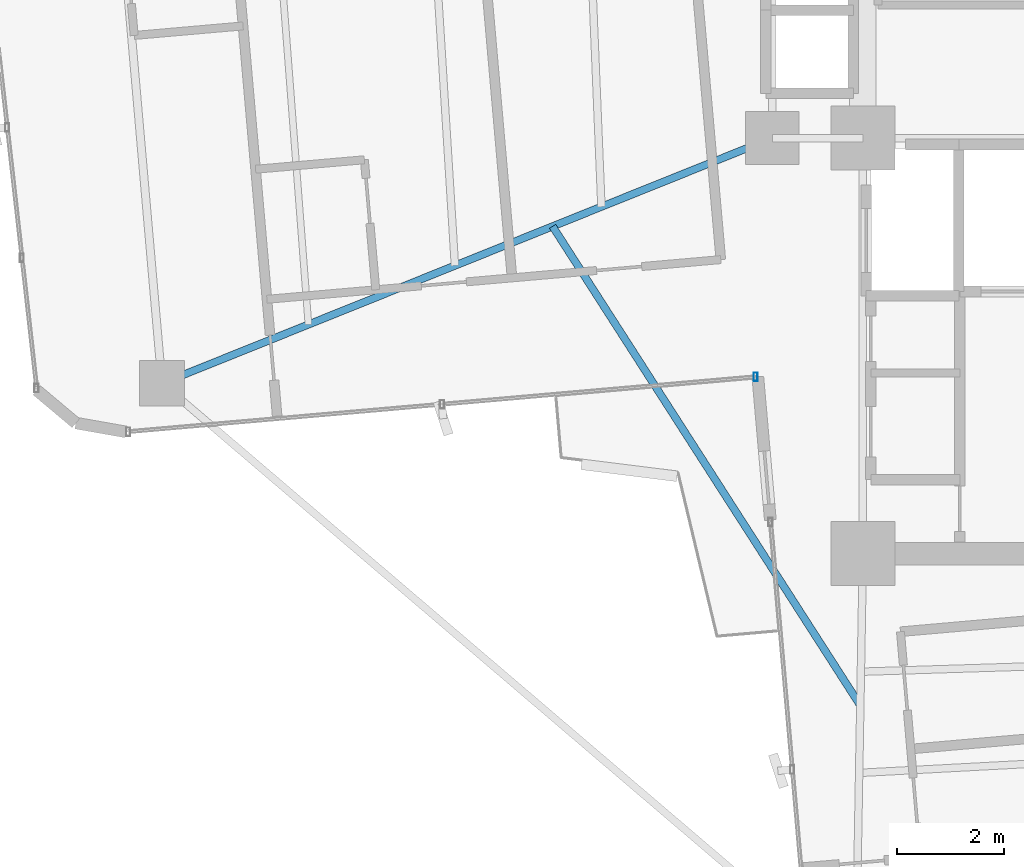
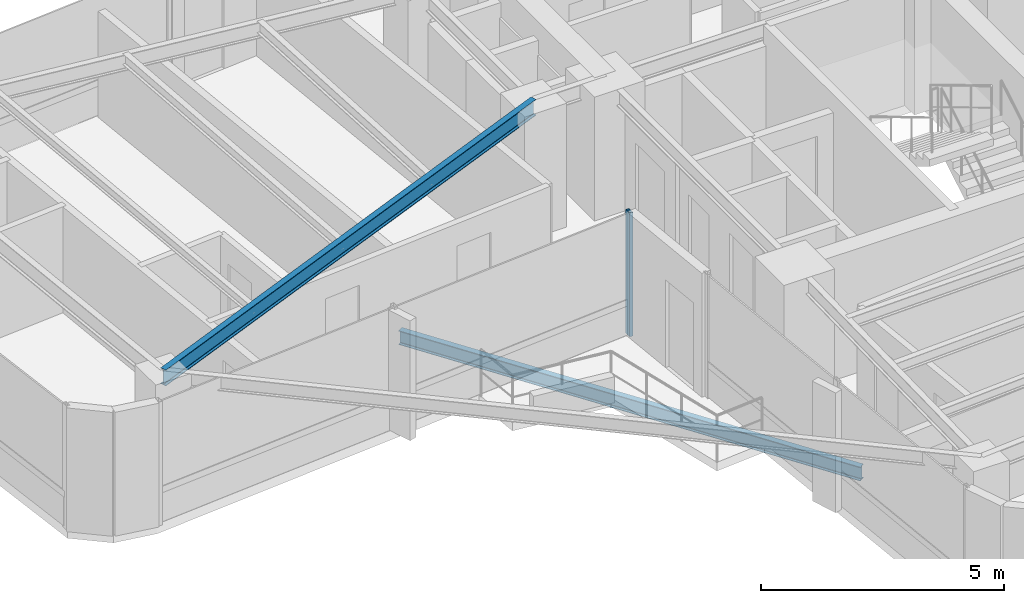
# One storey, part 5 of 24: 2 beams, 1 member, 1 element without a shape of its own.
"""IFC4 building model written with IfcOpenShell, lengths in metres."""

import ifcopenshell
import ifcopenshell.guid

model = None  # the IFC model being written
_history = None  # IfcOwnerHistory: only IFC2X3 demands one
_inside = {}  # id of a spatial element -> (the spatial element, [elements in it])
_under = {}  # id of a project, library or spatial element -> (it, [spatial elements below it])
_declared = {}  # id of a project -> (the project, [libraries it declares])
_typed = {}  # id of a type object -> (the type object, [elements of that type])
_made_of = {}  # id of a material, layer set ... -> (it, [elements and type objects made of it])


def new_model(schema):
    """Start an empty IFC model of exactly this schema.

    Asked for "IFC4X3", IfcOpenShell would pick the latest addendum, in which some entities
    have other attributes; the version numbers below select the first issue.
    IFC2X3 requires an IfcOwnerHistory on every rooted entity: one is made here for all.
    """
    global model, _history
    if schema == "IFC4X3":
        model = ifcopenshell.file(schema_version=(4, 3, 0, 0))
    else:
        model = ifcopenshell.file(schema=schema)
    _inside.clear()
    _under.clear()
    _declared.clear()
    _typed.clear()
    _made_of.clear()
    _history = None
    if model.schema == "IFC2X3":
        org = make("IfcOrganization", Name="unknown")
        user = make(
            "IfcPersonAndOrganization",
            ThePerson=make("IfcPerson", FamilyName="unknown"),
            TheOrganization=org,
        )
        app = make(
            "IfcApplication",
            ApplicationDeveloper=org,
            Version="unknown",
            ApplicationFullName="unknown",
            ApplicationIdentifier="unknown",
        )
        _history = make(
            "IfcOwnerHistory",
            OwningUser=user,
            OwningApplication=app,
            ChangeAction="ADDED",
            CreationDate=0,
        )
    return model


def make(cls, **values):
    """One entity of the class cls with the attributes given. An attribute that is None is left unset."""
    return model.create_entity(
        cls, **{name: value for name, value in values.items() if value is not None}
    )


def rooted(cls, **values):
    """An entity with a GlobalId (a new one), such as an element, a storey or a relation."""
    return make(cls, GlobalId=ifcopenshell.guid.new(), OwnerHistory=_history, **values)


def si_unit(unit_type, name, prefix=None):
    """IfcSIUnit, for example si_unit("LENGTHUNIT", "METRE", prefix="MILLI")."""
    return make("IfcSIUnit", UnitType=unit_type, Prefix=prefix, Name=name)


def assignment(units):
    """IfcUnitAssignment: the units of a project."""
    return None if units is None else make("IfcUnitAssignment", Units=units)


def point(xyz):
    """IfcCartesianPoint."""
    return None if xyz is None else make("IfcCartesianPoint", Coordinates=xyz)


def direction(xyz):
    """IfcDirection."""
    return None if xyz is None else make("IfcDirection", DirectionRatios=xyz)


def frame(location, z_axis=None, x_axis=None):
    """IfcAxis2Placement3D, a coordinate frame: its origin and axes. An axis left out is left unset."""
    return make(
        "IfcAxis2Placement3D",
        Location=point(location),
        Axis=direction(z_axis),
        RefDirection=direction(x_axis),
    )


def frame_2d(location, x_axis=None):
    """IfcAxis2Placement2D, a coordinate frame in the plane: its origin and x axis."""
    return make(
        "IfcAxis2Placement2D", Location=point(location), RefDirection=direction(x_axis)
    )


def origin():
    """The frame at (0, 0, 0) with its axes left unset."""
    return frame((0.0, 0.0, 0.0))


def origin_2d():
    """The frame at (0, 0) in the plane with its x axis left unset."""
    return frame_2d((0.0, 0.0))


def place(relative_to, where):
    """IfcLocalPlacement: puts the frame where relative to a parent placement (None: the world)."""
    return make(
        "IfcLocalPlacement", PlacementRelTo=relative_to, RelativePlacement=where
    )


def context(
    kind, dimensions, precision=None, world=None, true_north=None, identifier=None
):
    """IfcGeometricRepresentationContext, for example the 3D "Model" context."""
    return make(
        "IfcGeometricRepresentationContext",
        ContextIdentifier=identifier,
        ContextType=kind,
        CoordinateSpaceDimension=dimensions,
        Precision=precision,
        WorldCoordinateSystem=world,
        TrueNorth=true_north,
    )


def subcontext(parent, identifier, kind, view, scale=None):
    """IfcGeometricRepresentationSubContext, for example "Body" below "Model"."""
    return make(
        "IfcGeometricRepresentationSubContext",
        ContextIdentifier=identifier,
        ContextType=kind,
        ParentContext=parent,
        TargetScale=scale,
        TargetView=view,
    )


def project(units=None, contexts=None):
    """IfcProject with its units and contexts."""
    return rooted(
        "IfcProject",
        Name="project",
        RepresentationContexts=contexts,
        UnitsInContext=assignment(units),
    )


def spatial(cls, under=None, at=None, **own):
    """A site, building, storey or space (cls), placed at a placement, below another one or the project."""
    s = rooted(cls, ObjectPlacement=at, **own)
    if under is not None:
        _under.setdefault(under.id(), (under, []))[1].append(s)
    return s


def profile(cls, at=None, kind="AREA", **sizes):
    """A parametric profile (cls). Its sizes go by their IFC names, for example OverallWidth=200.0."""
    return make(cls, ProfileType=kind, Position=at, **sizes)


def hollow_rectangle(**sizes):
    """IfcRectangleHollowProfileDef."""
    return profile("IfcRectangleHollowProfileDef", **sizes)


def i_section(**sizes):
    """IfcIShapeProfileDef."""
    return profile("IfcIShapeProfileDef", **sizes)


def extrude(swept, where, along, depth):
    """IfcExtrudedAreaSolid: the profile swept, set in the frame where, extruded along a direction by depth."""
    return make(
        "IfcExtrudedAreaSolid",
        SweptArea=swept,
        Position=where,
        ExtrudedDirection=direction(along),
        Depth=depth,
    )


def shape(context_of_items, identifier, shape_type, items):
    """IfcShapeRepresentation: the items that make up one representation, for example the "Body"."""
    return make(
        "IfcShapeRepresentation",
        ContextOfItems=context_of_items,
        RepresentationIdentifier=identifier,
        RepresentationType=shape_type,
        Items=items,
    )


def source(mapping_origin, context_of_items, identifier, shape_type, items):
    """IfcRepresentationMap: a shape defined once, which mapped items show again and again."""
    return make(
        "IfcRepresentationMap",
        MappingOrigin=mapping_origin,
        MappedRepresentation=shape(context_of_items, identifier, shape_type, items),
    )


def transform(
    local_origin,
    x_axis=None,
    y_axis=None,
    z_axis=None,
    scale=None,
    scale2=None,
    scale3=None,
    uniform=True,
):
    """IfcCartesianTransformationOperator3D, or its non-uniform kind. x_axis, y_axis, z_axis: its Axis1, 2, 3."""
    if uniform:
        return make(
            "IfcCartesianTransformationOperator3D",
            Axis1=direction(x_axis),
            Axis2=direction(y_axis),
            LocalOrigin=point(local_origin),
            Scale=scale,
            Axis3=direction(z_axis),
        )
    return make(
        "IfcCartesianTransformationOperator3DnonUniform",
        Axis1=direction(x_axis),
        Axis2=direction(y_axis),
        LocalOrigin=point(local_origin),
        Scale=scale,
        Axis3=direction(z_axis),
        Scale2=scale2,
        Scale3=scale3,
    )


def mapped(mapping_source, mapping_target):
    """IfcMappedItem: shows the shape of a source again, moved by a transform."""
    return make(
        "IfcMappedItem", MappingSource=mapping_source, MappingTarget=mapping_target
    )


def material(Name=None, Category=None):
    """IfcMaterial."""
    return make("IfcMaterial", Name=Name, Category=Category)


def material_profile(
    of_material, cross_section, Name=None, Category=None, Priority=None
):
    """IfcMaterialProfile: a cross section and its material."""
    return make(
        "IfcMaterialProfile",
        Name=Name,
        Material=of_material,
        Profile=cross_section,
        Priority=Priority,
        Category=Category,
    )


def profile_set(profiles, Name=None, composite=None):
    """IfcMaterialProfileSet."""
    return make(
        "IfcMaterialProfileSet",
        Name=Name,
        MaterialProfiles=profiles,
        CompositeProfile=composite,
    )


def made_of(thing, what):
    """Note that an element or type object is made of a material, layer set ...; save() writes the relation."""
    if what is not None:
        _made_of.setdefault(what.id(), (what, []))[1].append(thing)
    return thing


def type_object(cls, material=None, **own):
    """A type object (cls), such as IfcWallType, which elements share."""
    return made_of(rooted(cls, **own), material)


def element(
    cls,
    number,
    at=None,
    inside=None,
    cuts=None,
    type_object=None,
    material=None,
    context=None,
    identifier="Body",
    shape_type=None,
    held_by="IfcProductDefinitionShape",
    body=None,
    shapes=None,
    **own,
):
    """One element of the class cls, such as IfcWall. Its Tag is "e" and its number.

    at: its placement. inside: the storey or other place that contains it. cuts: it is an
    opening in that element (IfcRelVoidsElement). A single representation is given by context,
    identifier, shape_type and body (its items); several are given by shapes. held_by: the class
    of the entity that holds the representations. save() writes the other relations.
    """
    e = rooted(cls, Tag="e%d" % number, ObjectPlacement=at, **own)
    if body is not None:
        shapes = [shape(context, identifier, shape_type, body)]
    if shapes is not None:
        e.Representation = make(held_by, Representations=shapes)
    if inside is not None:
        _inside.setdefault(inside.id(), (inside, []))[1].append(e)
    if cuts is not None:
        rooted(
            "IfcRelVoidsElement", RelatingBuildingElement=cuts, RelatedOpeningElement=e
        )
    if type_object is not None:
        _typed.setdefault(type_object.id(), (type_object, []))[1].append(e)
    return made_of(e, material)


def aggregate(whole, parts):
    """IfcRelAggregates: a whole, such as a stair, and the parts it consists of."""
    return rooted("IfcRelAggregates", RelatingObject=whole, RelatedObjects=parts)


def save(model, path):
    """Write the relations noted so far, then the file.

    IfcRelAggregates (storeys below a building ...), IfcRelContainedInSpatialStructure (elements
    in a storey), IfcRelDefinesByType, IfcRelAssociatesMaterial and IfcRelDeclares: one each for
    every whole, place, type object, material and project.
    """
    for whole, parts in _under.values():
        aggregate(whole, parts)
    for where, things in _inside.values():
        rooted(
            "IfcRelContainedInSpatialStructure",
            RelatedElements=things,
            RelatingStructure=where,
        )
    for kind, things in _typed.values():
        rooted("IfcRelDefinesByType", RelatedObjects=things, RelatingType=kind)
    for what, things in _made_of.values():
        rooted("IfcRelAssociatesMaterial", RelatedObjects=things, RelatingMaterial=what)
    for by, libraries in _declared.values():
        rooted("IfcRelDeclares", RelatingContext=by, RelatedDefinitions=libraries)
    model.write(path)


model = new_model("IFC4")

# Units and contexts
model_context = context("Model", 3, precision=1e-05, world=origin(), true_north=direction((0.0, 1.0)))
body_context = subcontext(model_context, "Body", "Model", "MODEL_VIEW")
ifc_project = project(units=[si_unit("LENGTHUNIT", "METRE"), si_unit("AREAUNIT", "SQUARE_METRE"), si_unit("VOLUMEUNIT", "CUBIC_METRE"), si_unit("PLANEANGLEUNIT", "RADIAN"), si_unit("MASSUNIT", "GRAM", prefix="KILO")], contexts=[model_context])

# Site, building, storey
site_placement = place(None, origin())
site = spatial("IfcSite", under=ifc_project, at=site_placement, CompositionType="ELEMENT")
building_placement = place(site_placement, origin())
building = spatial("IfcBuilding", under=site, at=building_placement, Name="Sahyath Konkavel Grand Hotel", CompositionType="ELEMENT")
storey_placement = place(building_placement, frame((0.0, 0.0, 195.300048828125)))
storey = spatial("IfcBuildingStorey", under=building, at=storey_placement, Name="L54", CompositionType="ELEMENT", Elevation=195.300048828125)

# Beam
ifc_material_1 = material(Name="Steel E350", Category="steel")
ifc_material_profile_1 = material_profile(ifc_material_1, i_section(OverallWidth=0.139892578125, OverallDepth=0.39990234375, WebThickness=0.0087890625, FlangeThickness=0.01611328125, FilletRadius=0.013916015625, at=origin_2d()), Name="ISMB 400")
ifc_profile_set_1 = profile_set([ifc_material_profile_1], Name="Steel E350")
beam_type_1 = type_object("IfcBeamType", Name="BM-ISMB400", PredefinedType="BEAM", material=ifc_profile_set_1)
shared_shape_1 = source(origin(), body_context, "Body", "SweptSolid", [
    extrude(i_section(OverallWidth=0.139892578125, OverallDepth=0.39990234375, WebThickness=0.0087890625, FlangeThickness=0.01611328125, FilletRadius=0.013916015625, at=origin_2d()), origin(), (0.0, 0.0, 1.0), 12.344970703125),
])
beam_1_placement = place(storey_placement, frame((-5.5, -2.39990234375, 2.909912109375), z_axis=(-0.927837014101, -0.372985891507, 0.0), x_axis=(0.372985891507, -0.927837014101, 0.0)))
element("IfcBeam", 1, at=beam_1_placement, inside=storey, type_object=beam_type_1, Name="L54 Cruciform Radial Girder WB", PredefinedType="BEAM", context=body_context, shape_type="MappedRepresentation", body=[
    mapped(shared_shape_1, transform((0.0, 0.0, 0.0), scale=1.0)),
])

# Curtain wall, member
ifc_material_2 = material(Name="Anodised Bronze Aluminium & Low-E Glazing", Category="aluminium")
curtain_wall_type = type_object("IfcCurtainWallType", Name="CW-ZONE3", PredefinedType="NOTDEFINED", material=ifc_material_2)
curtain_wall_placement = place(storey_placement, origin())
curtain_wall = element("IfcCurtainWall", 2, at=curtain_wall_placement, inside=storey, type_object=curtain_wall_type, Name="L54 Unitised Curtain Wall F23", PredefinedType="NOTDEFINED")
ifc_material_3 = material(Name="Anodised Bronze Aluminium", Category="aluminium")
ifc_material_profile_2 = material_profile(ifc_material_3, hollow_rectangle(XDim=0.080078125, YDim=0.159912109375, WallThickness=0.006103515625, at=origin_2d()), Name="RHS 160x80x6")
ifc_profile_set_2 = profile_set([ifc_material_profile_2], Name="Anodised Bronze Aluminium")
member_type = type_object("IfcMemberType", Name="CW-MUL-160", PredefinedType="MULLION", material=ifc_profile_set_2)
shared_shape_2 = source(origin(), body_context, "Body", "SweptSolid", [
    extrude(hollow_rectangle(XDim=0.080078125, YDim=0.159912109375, WallThickness=0.006103515625, at=origin_2d()), origin(), (0.0, 0.0, 1.0), 3.10986328125),
])
member_placement = place(storey_placement, frame((-5.812255859375, -6.8828125, 0.0), z_axis=(0.0, 0.0, 1.0), x_axis=(1.0, 0.0, 0.0)))
member = element("IfcMember", 3, at=member_placement, type_object=member_type, Name="L54 Curtain Wall Mullion F23-2", PredefinedType="MULLION", context=body_context, shape_type="MappedRepresentation", body=[
    mapped(shared_shape_2, transform((0.0, 0.0, 0.0), scale=1.0)),
])
aggregate(curtain_wall, [member])

# Beam
ifc_material_profile_3 = material_profile(ifc_material_1, i_section(OverallWidth=0.139892578125, OverallDepth=0.35009765625, WebThickness=0.008056640625, FlangeThickness=0.01416015625, FilletRadius=0.013916015625, at=origin_2d()), Name="ISMB 350")
ifc_profile_set_3 = profile_set([ifc_material_profile_3], Name="Steel E350")
beam_type_2 = type_object("IfcBeamType", Name="BM-BALC-CANT", PredefinedType="BEAM", material=ifc_profile_set_3)
shared_shape_3 = source(origin(), body_context, "Body", "SweptSolid", [
    extrude(i_section(OverallWidth=0.139892578125, OverallDepth=0.35009765625, WebThickness=0.008056640625, FlangeThickness=0.01416015625, FilletRadius=0.013916015625, at=origin_2d()), origin(), (0.0, 0.0, 1.0), 10.685302734375),
])
beam_2_placement = place(storey_placement, frame((-9.62353515625, -4.0576171875, -0.4150390625), z_axis=(0.540404181048, -0.841405562797, 0.0), x_axis=(0.841405562797, 0.540404181048, 0.0)))
element("IfcBeam", 4, at=beam_2_placement, inside=storey, type_object=beam_type_2, Name="L54 Balcony Cantilever Support Beam SW", PredefinedType="BEAM", context=body_context, shape_type="MappedRepresentation", body=[
    mapped(shared_shape_3, transform((0.0, 0.0, 0.0), scale=1.0)),
])

save(model, "model.ifc")
